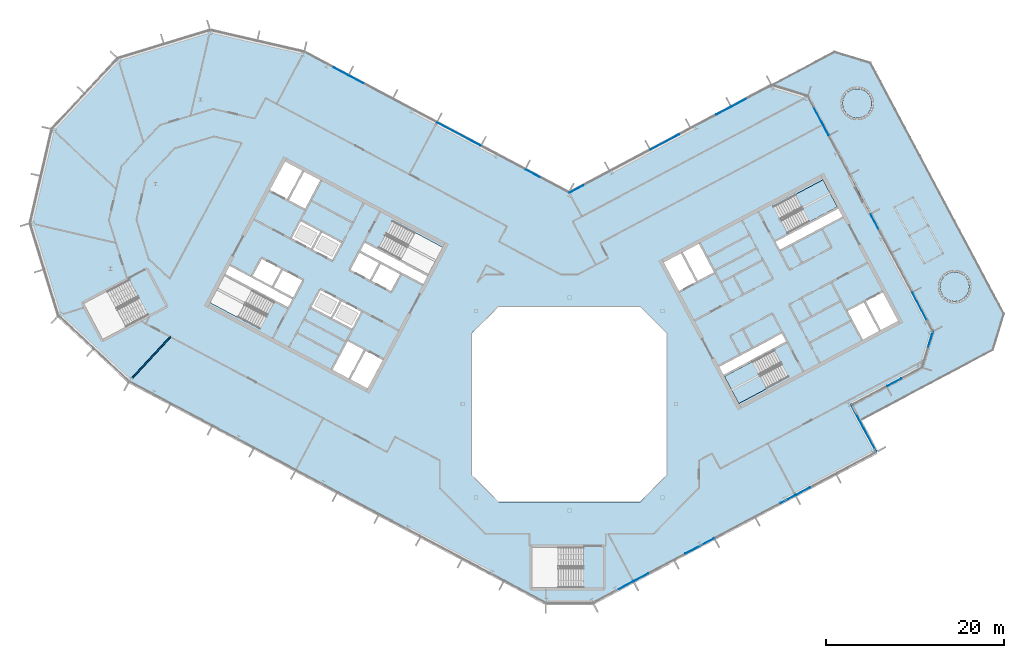
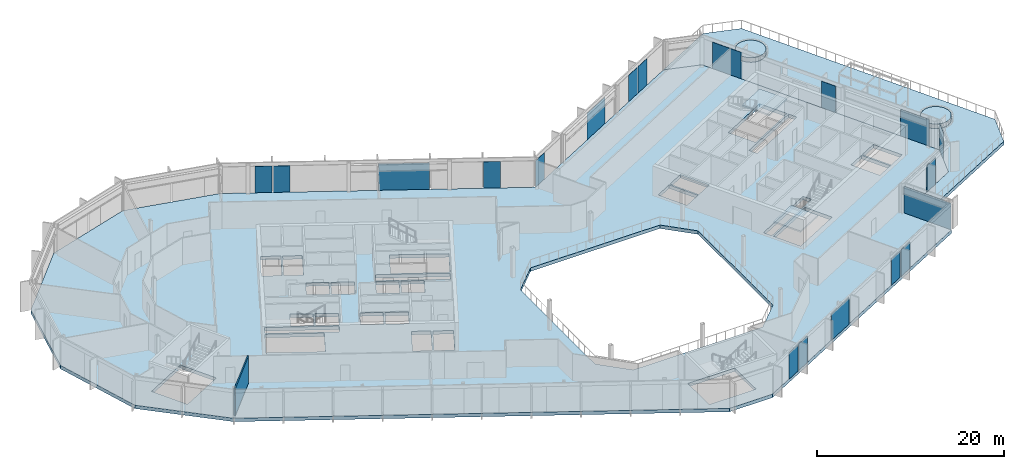
# One storey, part 13 of 30: 19 plates, 6 slabs, 1 wall, 9 elements without a shape of their own.
"""IFC4 building model written with IfcOpenShell, lengths in metres."""

from ifc_helpers import new_model, si_unit, direction, frame, frame_2d, origin, origin_2d, place, context, subcontext, project, spatial, polyline, rectangle, outline, extrude, material, layer, layer_set, type_object, element, aggregate, save


model = new_model("IFC4")

# Units and contexts
model_context = context("Model", 3, precision=1e-05, world=origin(), true_north=direction((0.0, 1.0)))
body_context = subcontext(model_context, "Body", "Model", "MODEL_VIEW")
ifc_project = project(units=[si_unit("LENGTHUNIT", "METRE"), si_unit("AREAUNIT", "SQUARE_METRE"), si_unit("VOLUMEUNIT", "CUBIC_METRE"), si_unit("PLANEANGLEUNIT", "RADIAN"), si_unit("MASSUNIT", "GRAM", prefix="KILO")], contexts=[model_context])

# Site, building, storey
site_placement = place(None, origin())
site = spatial("IfcSite", under=ifc_project, at=site_placement, CompositionType="ELEMENT")
building_placement = place(site_placement, origin())
building = spatial("IfcBuilding", under=site, at=building_placement, Name="Cormorant Relay Tower", CompositionType="ELEMENT")
storey_placement = place(building_placement, frame((0.0, 0.0, 258.0)))
storey = spatial("IfcBuildingStorey", under=building, at=storey_placement, Name="L57", CompositionType="ELEMENT", Elevation=258.0)

# Curtain wall, plates
ifc_material_1 = material(Name="Aluminium 6063-T6 anodised bronze", Category="aluminium")
ifc_layer_1 = layer(ifc_material_1, 0.199951171875)
ifc_layer_set_1 = layer_set([ifc_layer_1], Name="CW1 unitised bronze curtain wall with vertical fins")
curtain_wall_type = type_object("IfcCurtainWallType", Name="CW1 unitised bronze curtain wall with vertical fins", PredefinedType="NOTDEFINED", material=ifc_layer_set_1)
curtain_wall_1_placement = place(storey_placement, origin())
curtain_wall_1 = element("IfcCurtainWall", 1, at=curtain_wall_1_placement, inside=storey, type_object=curtain_wall_type, Name="CW1 curtain wall 2", PredefinedType="NOTDEFINED")
ifc_material_2 = material(Name="Tinted laminated glass", Category="glass")
ifc_layer_2 = layer(ifc_material_2, 0.0400390625)
ifc_layer_set_2 = layer_set([ifc_layer_2], Name="CW1 tinted vision panel 1800 module")
plate_type_1 = type_object("IfcPlateType", Name="CW1 tinted vision panel 1800 module", PredefinedType="CURTAIN_PANEL", material=ifc_layer_set_2)
plate_1_placement = place(storey_placement, frame((6.359130859375, -20.42529296875, 0.0), z_axis=(0.0, 0.0, 1.0), x_axis=(0.882947592859, 0.469471562786, 0.0)))
plate_1 = element("IfcPlate", 2, at=plate_1_placement, type_object=plate_type_1, Name="CW1 panel V01", PredefinedType="CURTAIN_PANEL", context=body_context, shape_type="SweptSolid", body=[
    extrude(rectangle(XDim=1.800048828125, YDim=0.0400390625, at=origin_2d()), origin(), (0.0, 0.0, 1.0), 3.449951171875),
])
plate_2_placement = place(storey_placement, frame((8.080810546875, -19.510009765625, 0.0), z_axis=(0.0, 0.0, 1.0), x_axis=(0.882947592859, 0.469471562786, 0.0)))
plate_2 = element("IfcPlate", 3, at=plate_2_placement, type_object=plate_type_1, Name="CW1 panel V02", PredefinedType="CURTAIN_PANEL", context=body_context, shape_type="SweptSolid", body=[
    extrude(rectangle(XDim=1.800048828125, YDim=0.0400390625, at=origin_2d()), origin(), (0.0, 0.0, 1.0), 3.449951171875),
])
plate_3_placement = place(storey_placement, frame((24.6064453125, -10.72314453125, 0.0), z_axis=(0.0, 0.0, 1.0), x_axis=(0.882947592859, 0.469471562786, 0.0)))
plate_3 = element("IfcPlate", 4, at=plate_3_placement, type_object=plate_type_1, Name="CW1 panel V06", PredefinedType="CURTAIN_PANEL", context=body_context, shape_type="SweptSolid", body=[
    extrude(rectangle(XDim=1.800048828125, YDim=0.0400390625, at=origin_2d()), origin(), (0.0, 0.0, 1.0), 3.449951171875),
])
plate_4_placement = place(storey_placement, frame((26.328125, -9.8076171875, 0.0), z_axis=(0.0, 0.0, 1.0), x_axis=(0.882947592859, 0.469471562786, 0.0)))
plate_4 = element("IfcPlate", 5, at=plate_4_placement, type_object=plate_type_1, Name="CW1 panel V07", PredefinedType="CURTAIN_PANEL", context=body_context, shape_type="SweptSolid", body=[
    extrude(rectangle(XDim=1.800048828125, YDim=0.0400390625, at=origin_2d()), origin(), (0.0, 0.0, 1.0), 3.449951171875),
])

# Curtain wall, plate
curtain_wall_2_placement = place(storey_placement, origin())
curtain_wall_2 = element("IfcCurtainWall", 6, at=curtain_wall_2_placement, inside=storey, type_object=curtain_wall_type, Name="CW1 curtain wall 4", PredefinedType="NOTDEFINED")
plate_5_placement = place(storey_placement, frame((36.608154296875, 2.45361328125, 0.0), z_axis=(0.0, 0.0, 1.0), x_axis=(0.882947592859, 0.469471562786, 0.0)))
plate_5 = element("IfcPlate", 7, at=plate_5_placement, type_object=plate_type_1, Name="CW1 panel V01", PredefinedType="CURTAIN_PANEL", context=body_context, shape_type="SweptSolid", body=[
    extrude(rectangle(XDim=1.800048828125, YDim=0.0400390625, at=origin_2d()), origin(), (0.0, 0.0, 1.0), 3.449951171875),
])
aggregate(curtain_wall_2, [plate_5])

curtain_wall_3_placement = place(storey_placement, origin())
curtain_wall_3 = element("IfcCurtainWall", 8, at=curtain_wall_3_placement, inside=storey, type_object=curtain_wall_type, Name="CW1 curtain wall 5", PredefinedType="NOTDEFINED")
plate_6_placement = place(storey_placement, frame((40.70751953125, 7.31689453125, 0.0), z_axis=(0.0, 0.0, 1.0), x_axis=(0.292371704723, 0.956304755963, 0.0)))
plate_6 = element("IfcPlate", 9, at=plate_6_placement, type_object=plate_type_1, Name="CW1 panel V01", PredefinedType="CURTAIN_PANEL", context=body_context, shape_type="SweptSolid", body=[
    extrude(rectangle(XDim=1.800048828125, YDim=0.0400390625, at=origin_2d()), origin(), (0.0, 0.0, 1.0), 3.449951171875),
])
aggregate(curtain_wall_3, [plate_6])

curtain_wall_4_placement = place(storey_placement, origin())
curtain_wall_4 = element("IfcCurtainWall", 10, at=curtain_wall_4_placement, inside=storey, type_object=curtain_wall_type, Name="CW1 curtain wall 6", PredefinedType="NOTDEFINED")
plate_7_placement = place(storey_placement, frame((34.385009765625, 20.576171875, 0.0), z_axis=(0.0, 0.0, 1.0), x_axis=(-0.469471562786, 0.882947592859, 0.0)))
plate_7 = element("IfcPlate", 11, at=plate_7_placement, type_object=plate_type_1, Name="CW1 panel V03", PredefinedType="CURTAIN_PANEL", context=body_context, shape_type="SweptSolid", body=[
    extrude(rectangle(XDim=1.800048828125, YDim=0.0400390625, at=origin_2d()), origin(), (0.0, 0.0, 1.0), 3.449951171875),
])

# Curtain wall, plates
curtain_wall_5_placement = place(storey_placement, origin())
curtain_wall_5 = element("IfcCurtainWall", 12, at=curtain_wall_5_placement, inside=storey, type_object=curtain_wall_type, Name="CW1 curtain wall 8", PredefinedType="NOTDEFINED")
plate_8_placement = place(storey_placement, frame((19.099609375, 33.962158203125, 0.0), z_axis=(0.0, 0.0, 1.0), x_axis=(-0.882947592859, -0.469471562786, 0.0)))
plate_8 = element("IfcPlate", 13, at=plate_8_placement, type_object=plate_type_1, Name="CW1 panel V01", PredefinedType="CURTAIN_PANEL", context=body_context, shape_type="SweptSolid", body=[
    extrude(rectangle(XDim=1.800048828125, YDim=0.0400390625, at=origin_2d()), origin(), (0.0, 0.0, 1.0), 3.449951171875),
])
plate_9_placement = place(storey_placement, frame((17.3779296875, 33.046630859375, 0.0), z_axis=(0.0, 0.0, 1.0), x_axis=(-0.882947592859, -0.469471562786, 0.0)))
plate_9 = element("IfcPlate", 14, at=plate_9_placement, type_object=plate_type_1, Name="CW1 panel V02", PredefinedType="CURTAIN_PANEL", context=body_context, shape_type="SweptSolid", body=[
    extrude(rectangle(XDim=1.800048828125, YDim=0.0400390625, at=origin_2d()), origin(), (0.0, 0.0, 1.0), 3.449951171875),
])
plate_10_placement = place(storey_placement, frame((0.785400390625, 24.22412109375, 0.0), z_axis=(0.0, 0.0, 1.0), x_axis=(-0.882947592859, -0.469471562786, 0.0)))
plate_10 = element("IfcPlate", 15, at=plate_10_placement, type_object=plate_type_1, Name="CW1 panel V06", PredefinedType="CURTAIN_PANEL", context=body_context, shape_type="SweptSolid", body=[
    extrude(rectangle(XDim=1.800048828125, YDim=0.0400390625, at=origin_2d()), origin(), (0.0, 0.0, 1.0), 3.449951171875),
])

curtain_wall_6_placement = place(storey_placement, origin())
curtain_wall_6 = element("IfcCurtainWall", 16, at=curtain_wall_6_placement, inside=storey, type_object=curtain_wall_type, Name="CW1 curtain wall 9", PredefinedType="NOTDEFINED")
plate_11_placement = place(storey_placement, frame((-4.108642578125, 25.9912109375, 0.0), z_axis=(0.0, 0.0, 1.0), x_axis=(-0.882947592859, 0.469471562786, 0.0)))
plate_11 = element("IfcPlate", 17, at=plate_11_placement, type_object=plate_type_1, Name="CW1 panel V01", PredefinedType="CURTAIN_PANEL", context=body_context, shape_type="SweptSolid", body=[
    extrude(rectangle(XDim=1.800048828125, YDim=0.0400390625, at=origin_2d()), origin(), (0.0, 0.0, 1.0), 3.449951171875),
])
plate_12_placement = place(storey_placement, frame((-24.0244140625, 36.580810546875, 0.0), z_axis=(0.0, 0.0, 1.0), x_axis=(-0.882947592859, 0.469471562786, 0.0)))
plate_12 = element("IfcPlate", 18, at=plate_12_placement, type_object=plate_type_1, Name="CW1 panel V05", PredefinedType="CURTAIN_PANEL", context=body_context, shape_type="SweptSolid", body=[
    extrude(rectangle(XDim=1.800048828125, YDim=0.0400390625, at=origin_2d()), origin(), (0.0, 0.0, 1.0), 3.449951171875),
])
plate_13_placement = place(storey_placement, frame((-25.746337890625, 37.49609375, 0.0), z_axis=(0.0, 0.0, 1.0), x_axis=(-0.882947592859, 0.469471562786, 0.0)))
plate_13 = element("IfcPlate", 19, at=plate_13_placement, type_object=plate_type_1, Name="CW1 panel V06", PredefinedType="CURTAIN_PANEL", context=body_context, shape_type="SweptSolid", body=[
    extrude(rectangle(XDim=1.800048828125, YDim=0.0400390625, at=origin_2d()), origin(), (0.0, 0.0, 1.0), 3.449951171875),
])

# Plate
ifc_material_3 = material(Name="Tinted laminated glass", Category="glass")
ifc_layer_3 = layer(ifc_material_3, 0.0400390625)
ifc_layer_set_3 = layer_set([ifc_layer_3], Name="CW1 tinted vision panel 3600 module")
plate_type_2 = type_object("IfcPlateType", Name="CW1 tinted vision panel 3600 module", PredefinedType="CURTAIN_PANEL", material=ifc_layer_set_3)
plate_14_placement = place(storey_placement, frame((14.68798828125, -15.996826171875, 0.0), z_axis=(0.0, 0.0, 1.0), x_axis=(0.882947592859, 0.469471562786, 0.0)))
plate_14 = element("IfcPlate", 20, at=plate_14_placement, type_object=plate_type_2, Name="CW1 panel V04", PredefinedType="CURTAIN_PANEL", context=body_context, shape_type="SweptSolid", body=[
    extrude(rectangle(XDim=3.60009765625, YDim=0.0400390625, at=origin_2d()), origin(), (0.0, 0.0, 1.0), 3.449951171875),
])

aggregate(curtain_wall_1, [plate_1, plate_2, plate_14, plate_3, plate_4])

plate_15_placement = place(storey_placement, frame((39.502197265625, 10.9521484375, 0.0), z_axis=(0.0, 0.0, 1.0), x_axis=(-0.469471562786, 0.882947592859, 0.0)))
plate_15 = element("IfcPlate", 21, at=plate_15_placement, type_object=plate_type_2, Name="CW1 panel V01", PredefinedType="CURTAIN_PANEL", context=body_context, shape_type="SweptSolid", body=[
    extrude(rectangle(XDim=3.60009765625, YDim=0.0400390625, at=origin_2d()), origin(), (0.0, 0.0, 1.0), 3.449951171875),
])

plate_16_placement = place(storey_placement, frame((28.352294921875, 31.922119140625, 0.0), z_axis=(0.0, 0.0, 1.0), x_axis=(-0.469471562786, 0.882947592859, 0.0)))
plate_16 = element("IfcPlate", 22, at=plate_16_placement, type_object=plate_type_2, Name="CW1 panel V06", PredefinedType="CURTAIN_PANEL", context=body_context, shape_type="SweptSolid", body=[
    extrude(rectangle(XDim=3.60009765625, YDim=0.0400390625, at=origin_2d()), origin(), (0.0, 0.0, 1.0), 3.449951171875),
])

aggregate(curtain_wall_4, [plate_15, plate_7, plate_16])

plate_17_placement = place(storey_placement, frame((10.770263671875, 29.533203125, 0.0), z_axis=(0.0, 0.0, 1.0), x_axis=(-0.882947592859, -0.469471562786, 0.0)))
plate_17 = element("IfcPlate", 23, at=plate_17_placement, type_object=plate_type_2, Name="CW1 panel V04", PredefinedType="CURTAIN_PANEL", context=body_context, shape_type="SweptSolid", body=[
    extrude(rectangle(XDim=3.60009765625, YDim=0.0400390625, at=origin_2d()), origin(), (0.0, 0.0, 1.0), 3.449951171875),
])

aggregate(curtain_wall_5, [plate_8, plate_9, plate_17, plate_10])

# Curtain wall, plate
curtain_wall_7_placement = place(storey_placement, origin())
curtain_wall_7 = element("IfcCurtainWall", 24, at=curtain_wall_7_placement, inside=storey, type_object=curtain_wall_type, Name="CW1 curtain wall 3", PredefinedType="NOTDEFINED")
ifc_material_4 = material(Name="Tinted laminated glass", Category="glass")
ifc_layer_4 = layer(ifc_material_4, 0.0400390625)
ifc_layer_set_4 = layer_set([ifc_layer_4], Name="CW1 tinted vision panel 5400 module")
plate_type_3 = type_object("IfcPlateType", Name="CW1 tinted vision panel 5400 module", PredefinedType="CURTAIN_PANEL", material=ifc_layer_set_4)
plate_18_placement = place(storey_placement, frame((33.173095703125, -2.705322265625, 0.0), z_axis=(0.0, 0.0, 1.0), x_axis=(-0.469471562786, 0.882947592859, 0.0)))
plate_18 = element("IfcPlate", 25, at=plate_18_placement, type_object=plate_type_3, Name="CW1 panel V00", PredefinedType="CURTAIN_PANEL", context=body_context, shape_type="SweptSolid", body=[
    extrude(rectangle(XDim=5.925048828125, YDim=0.0400390625, at=origin_2d()), origin(), (0.0, 0.0, 1.0), 3.449951171875),
])
aggregate(curtain_wall_7, [plate_18])

# Plate
plate_19_placement = place(storey_placement, frame((-12.43798828125, 30.419921875, 0.0), z_axis=(0.0, 0.0, 1.0), x_axis=(-0.882947592859, 0.469471562786, 0.0)))
plate_19 = element("IfcPlate", 26, at=plate_19_placement, type_object=plate_type_3, Name="CW1 panel V03", PredefinedType="CURTAIN_PANEL", context=body_context, shape_type="SweptSolid", body=[
    extrude(rectangle(XDim=5.489013671875, YDim=0.0400390625, at=origin_2d()), origin(), (0.0, 0.0, 1.0), 3.449951171875),
])

aggregate(curtain_wall_6, [plate_11, plate_19, plate_12, plate_13])

# Stair, slab
ifc_material_5 = material(Name="Concrete 40 MPa", Category="concrete")
stair_type = type_object("IfcStairType", Name="Exit stair 1500", PredefinedType="HALF_TURN_STAIR", material=ifc_material_5)
stair_1_placement = place(storey_placement, origin())
stair_1 = element("IfcStair", 27, at=stair_1_placement, inside=storey, type_object=stair_type, Name="L57 Stair", PredefinedType="HALF_TURN_STAIR")
ifc_material_6 = material(Name="Concrete 40 MPa", Category="concrete")
ifc_layer_5 = layer(ifc_material_6, 0.199951171875)
ifc_layer_set_5 = layer_set([ifc_layer_5], Name="Exit stair landing 200")
slab_type_1 = type_object("IfcSlabType", Name="Exit stair landing 200", PredefinedType="LANDING", material=ifc_layer_set_5)
slab_1_placement = place(storey_placement, frame((0.0, 0.0, 1.75)))
slab_1 = element("IfcSlab", 28, at=slab_1_placement, type_object=slab_type_1, Name="B1 landing 1", PredefinedType="LANDING", context=body_context, shape_type="SweptSolid", body=[
    extrude(outline(polyline([(20.614990234375, 4.78857421875), (17.48046875, 3.1220703125), (19.10009765625, 0.075927734375), (22.234619140625, 1.742431640625), (20.614990234375, 4.78857421875)])), origin(), (0.0, 0.0, 1.0), 0.199951171875),
])
aggregate(stair_1, [slab_1])

stair_2_placement = place(storey_placement, origin())
stair_2 = element("IfcStair", 29, at=stair_2_placement, inside=storey, type_object=stair_type, Name="L57 Stair", PredefinedType="HALF_TURN_STAIR")
slab_2_placement = place(storey_placement, frame((0.0, 0.0, 1.75)))
slab_2 = element("IfcSlab", 30, at=slab_2_placement, type_object=slab_type_1, Name="B2 landing 1", PredefinedType="LANDING", context=body_context, shape_type="SweptSolid", body=[
    extrude(outline(polyline([(27.064208984375, 20.562744140625), (30.19873046875, 22.2294921875), (28.5791015625, 25.275634765625), (25.444580078125, 23.60888671875), (27.064208984375, 20.562744140625)])), origin(), (0.0, 0.0, 1.0), 0.199951171875),
])
aggregate(stair_2, [slab_2])

# Slabs
ifc_material_7 = material(Name="Concrete 40 MPa", Category="concrete")
ifc_layer_6 = layer(ifc_material_7, 0.449951171875)
ifc_layer_set_6 = layer_set([ifc_layer_6], Name="Flat plate 450")
slab_type_2 = type_object("IfcSlabType", Name="Flat plate 450", PredefinedType="FLOOR", material=ifc_layer_set_6)
slab_3_placement = place(storey_placement, frame((0.0, 0.0, -0.449951171875)))
element("IfcSlab", 31, at=slab_3_placement, inside=storey, type_object=slab_type_2, Name="Floor slab L57", PredefinedType="FLOOR", context=body_context, shape_type="SweptSolid", body=[
    extrude(outline(polyline([(-60.7197265625, 20.393310546875), (-58.2744140625, 30.985107421875), (-50.86083984375, 38.935302734375), (-40.465576171875, 42.11328125), (-29.873779296875, 39.668212890625), (0.0, 23.783935546875), (22.810302734375, 35.912353515625), (26.867431640625, 34.671875), (40.95166015625, 8.18359375), (39.711181640625, 4.126220703125), (31.7646484375, -0.09912109375), (34.581298828125, -5.396728515625), (2.648681640625, -22.37548828125), (-2.648681640625, -22.37548828125), (-49.591552734375, 2.584228515625), (-57.541748046875, 9.997802734375), (-60.7197265625, 20.393310546875)]), holes=[polyline([(11.0, -8.0), (11.0, 8.0), (8.0, 11.0), (-8.0, 11.0), (-11.0, 8.0), (-11.0, -8.0), (-8.0, -11.0), (8.0, -11.0), (11.0, -8.0)]), polyline([(-24.985595703125, 7.112548828125), (-26.69921875, 3.889892578125), (-24.844970703125, 2.90380859375), (-23.13134765625, 6.126708984375), (-23.04296875, 6.07958984375), (-24.985595703125, 7.112548828125)]), polyline([(-22.95458984375, 6.03271484375), (-24.668212890625, 2.81005859375), (-22.725830078125, 1.777099609375), (-21.01220703125, 5.0), (-23.04296875, 6.07958984375), (-22.95458984375, 6.03271484375)]), polyline([(-25.656005859375, 11.602783203125), (-26.688720703125, 9.660400390625), (-24.481201171875, 8.48681640625), (-23.448486328125, 10.42919921875), (-25.656005859375, 11.602783203125)]), polyline([(-49.57861328125, 14.0537109375), (-54.69970703125, 11.330810546875), (-52.563720703125, 7.3134765625), (-47.442626953125, 10.036376953125), (-49.57861328125, 14.0537109375)]), polyline([(-29.07275390625, 10.927978515625), (-26.865234375, 9.75439453125), (-25.83251953125, 11.69677734375), (-28.039794921875, 12.870361328125), (-29.07275390625, 10.927978515625)]), polyline([(-33.240966796875, 11.502197265625), (-38.847900390625, 14.483154296875), (-40.46728515625, 11.43701171875), (-34.860595703125, 8.455810546875), (-33.240966796875, 11.502197265625)]), polyline([(-38.260986328125, 15.5869140625), (-38.75390625, 14.659912109375), (-31.690185546875, 10.904052734375), (-31.197265625, 11.8310546875), (-38.260986328125, 15.5869140625)]), polyline([(-31.103515625, 12.0078125), (-30.070556640625, 13.9501953125), (-32.278076171875, 15.123779296875), (-33.310791015625, 13.181396484375), (-31.103515625, 12.0078125)]), polyline([(-34.661865234375, 16.3916015625), (-35.69482421875, 14.448974609375), (-33.4873046875, 13.275390625), (-32.45458984375, 15.2177734375), (-34.661865234375, 16.3916015625)]), polyline([(-24.672119140625, 15.156982421875), (-22.46484375, 13.9833984375), (-21.431884765625, 15.92578125), (-23.639404296875, 17.099609375), (-24.672119140625, 15.156982421875)]), polyline([(-25.670166015625, 18.17919921875), (-27.87744140625, 19.35302734375), (-28.910400390625, 17.410400390625), (-26.702880859375, 16.23681640625), (-25.670166015625, 18.17919921875)]), polyline([(-30.261474609375, 20.62060546875), (-31.294189453125, 18.677978515625), (-29.0869140625, 17.50439453125), (-28.053955078125, 19.447021484375), (-30.261474609375, 20.62060546875)]), polyline([(-31.611572265625, 22.980712890625), (-29.75732421875, 21.99462890625), (-28.043701171875, 25.217529296875), (-29.89794921875, 26.203369140625), (-31.611572265625, 22.980712890625)]), polyline([(-32.01708984375, 27.330078125), (-33.73046875, 24.107421875), (-31.7880859375, 23.074462890625), (-30.074462890625, 26.29736328125), (-32.01708984375, 27.330078125)]), polyline([(-4.199951171875, -16.125), (-4.199951171875, -20.675048828125), (1.60009765625, -20.675048828125), (1.60009765625, -16.125), (-4.199951171875, -16.125)]), polyline([(23.087158203125, 6.10302734375), (17.48046875, 3.1220703125), (19.10009765625, 0.07568359375), (24.706787109375, 3.056884765625), (23.087158203125, 6.10302734375)]), polyline([(17.386474609375, 3.298583984375), (24.4501953125, 7.054443359375), (23.957275390625, 7.9814453125), (16.8935546875, 4.2255859375), (17.386474609375, 3.298583984375)]), polyline([(33.197021484375, 11.478515625), (31.3427734375, 10.49267578125), (33.056396484375, 7.27001953125), (34.910400390625, 8.255859375), (33.197021484375, 11.478515625)]), polyline([(33.37353515625, 11.572509765625), (35.087158203125, 8.349609375), (37.029541015625, 9.382568359375), (35.31591796875, 12.605224609375), (33.37353515625, 11.572509765625)]), polyline([(-20.080810546875, 12.7158203125), (-19.048095703125, 14.658203125), (-21.25537109375, 15.831787109375), (-22.2880859375, 13.889404296875), (-20.080810546875, 12.7158203125)]), polyline([(14.3056640625, 13.779052734375), (12.592041015625, 17.001708984375), (10.649658203125, 15.968994140625), (12.36328125, 12.74609375), (14.39404296875, 13.825927734375), (14.3056640625, 13.779052734375)]), polyline([(16.33642578125, 14.85888671875), (14.622802734375, 18.08154296875), (12.768798828125, 17.095703125), (14.482421875, 13.872802734375), (14.39404296875, 13.825927734375), (16.33642578125, 14.85888671875)]), polyline([(-16.481689453125, 13.520263671875), (-15.989013671875, 14.447509765625), (-23.052490234375, 18.203125), (-23.54541015625, 17.276123046875), (-16.481689453125, 13.520263671875)]), polyline([(-21.501708984375, 17.605224609375), (-15.89501953125, 14.6240234375), (-14.275390625, 17.670166015625), (-19.882080078125, 20.6513671875), (-21.501708984375, 17.605224609375)]), polyline([(30.78564453125, 21.125732421875), (30.29248046875, 22.052978515625), (23.22900390625, 18.297119140625), (23.721923828125, 17.3701171875), (30.78564453125, 21.125732421875)]), polyline([(24.592041015625, 19.248291015625), (30.19873046875, 22.2294921875), (28.5791015625, 25.275634765625), (22.972412109375, 22.29443359375), (24.592041015625, 19.248291015625)])]), origin(), (0.0, 0.0, 1.0), 0.449951171875),
])
ifc_material_8 = material(Name="Planting soil")
ifc_layer_7 = layer(ifc_material_8, 0.60009765625)
ifc_layer_set_7 = layer_set([ifc_layer_7], Name="PLANTER bed")
slab_type_3 = type_object("IfcSlabType", Name="PLANTER bed", PredefinedType="FLOOR", material=ifc_layer_set_7)
slab_4_placement = place(storey_placement, origin())
element("IfcSlab", 32, at=slab_4_placement, inside=storey, type_object=slab_type_3, Name="Terrace PLANTER 57-01", PredefinedType="FLOOR", context=body_context, shape_type="SweptSolid", body=[
    extrude(outline(polyline([(43.57763671875, 11.592041015625), (43.89501953125, 11.654541015625), (44.19384765625, 11.777587890625), (44.462890625, 11.95654296875), (44.69189453125, 12.1845703125), (44.8720703125, 12.452880859375), (44.99658203125, 12.751220703125), (45.060302734375, 13.068115234375), (45.060791015625, 13.391357421875), (44.99853515625, 13.70849609375), (44.87548828125, 14.00732421875), (44.696533203125, 14.276611328125), (44.468505859375, 14.505615234375), (44.2001953125, 14.685791015625), (43.90185546875, 14.81005859375), (43.5849609375, 14.873779296875), (43.26171875, 14.87451171875), (42.944580078125, 14.81201171875), (42.645751953125, 14.689208984375), (42.37646484375, 14.510009765625), (42.1474609375, 14.281982421875), (41.96728515625, 14.013671875), (41.843017578125, 13.71533203125), (41.779296875, 13.3984375), (41.778564453125, 13.0751953125), (41.8408203125, 12.758056640625), (41.9638671875, 12.459228515625), (42.142822265625, 12.190185546875), (42.37109375, 11.961181640625), (42.639404296875, 11.781005859375), (42.937744140625, 11.656494140625), (43.25439453125, 11.5927734375), (43.57763671875, 11.592041015625)])), origin(), (0.0, 0.0, 1.0), 0.60009765625),
])
slab_5_placement = place(storey_placement, origin())
element("IfcSlab", 33, at=slab_5_placement, inside=storey, type_object=slab_type_3, Name="Terrace PLANTER 57-02", PredefinedType="FLOOR", context=body_context, shape_type="SweptSolid", body=[
    extrude(outline(polyline([(32.592041015625, 32.253173828125), (32.9091796875, 32.3154296875), (33.2080078125, 32.4384765625), (33.477294921875, 32.617431640625), (33.706298828125, 32.845458984375), (33.886474609375, 33.114013671875), (34.0107421875, 33.412109375), (34.07470703125, 33.72900390625), (34.0751953125, 34.05224609375), (34.012939453125, 34.369384765625), (33.889892578125, 34.668212890625), (33.7109375, 34.9375), (33.48291015625, 35.16650390625), (33.214599609375, 35.3466796875), (32.916015625, 35.470947265625), (32.599365234375, 35.534912109375), (32.276123046875, 35.535400390625), (31.958984375, 35.47314453125), (31.659912109375, 35.35009765625), (31.390869140625, 35.171142578125), (31.161865234375, 34.943115234375), (30.981689453125, 34.6748046875), (30.857421875, 34.376220703125), (30.793701171875, 34.0595703125), (30.79296875, 33.736328125), (30.855224609375, 33.419189453125), (30.978271484375, 33.1201171875), (31.1572265625, 32.85107421875), (31.38525390625, 32.6220703125), (31.65380859375, 32.44189453125), (31.951904296875, 32.3173828125), (32.268798828125, 32.25390625), (32.592041015625, 32.253173828125)])), origin(), (0.0, 0.0, 1.0), 0.60009765625),
])
ifc_material_9 = material(Name="Concrete 40 MPa", Category="concrete")
ifc_layer_8 = layer(ifc_material_9, 0.449951171875)
ifc_layer_set_8 = layer_set([ifc_layer_8], Name="Terrace slab 450")
slab_type_4 = type_object("IfcSlabType", Name="Terrace slab 450", PredefinedType="FLOOR", material=ifc_layer_set_8)
slab_6_placement = place(storey_placement, frame((0.0, 0.0, -0.449951171875)))
element("IfcSlab", 34, at=slab_6_placement, inside=storey, type_object=slab_type_4, Name="Terrace slab L57", PredefinedType="FLOOR", context=body_context, shape_type="SweptSolid", body=[
    extrude(outline(polyline([(29.873779296875, 39.668212890625), (33.930908203125, 38.427734375), (48.9541015625, 10.17333984375), (47.713623046875, 6.1162109375), (32.70361328125, -1.864990234375), (31.7646484375, -0.09912109375), (39.711181640625, 4.126220703125), (40.95166015625, 8.18359375), (26.867431640625, 34.671875), (22.810302734375, 35.912353515625), (29.873779296875, 39.668212890625)])), origin(), (0.0, 0.0, 1.0), 0.449951171875),
])

# Wall
ifc_material_10 = material(Name="Gypsum board partition")
ifc_layer_9 = layer(ifc_material_10, 0.14990234375)
ifc_layer_set_9 = layer_set([ifc_layer_9], Name="Tenant partition 150")
wall_type = type_object("IfcWallType", Name="Tenant partition 150", PredefinedType="PARTITIONING", material=ifc_layer_set_9)
wall_placement = place(storey_placement, frame((-44.931884765625, 7.58203125, 0.0), z_axis=(0.0, 0.0, 1.0), x_axis=(-0.681917154851, -0.731429418277, 0.0)))
element("IfcWall", 35, at=wall_placement, inside=storey, type_object=wall_type, Name="wall/L57/part/010", PredefinedType="PARTITIONING", context=body_context, shape_type="SweptSolid", body=[
    extrude(rectangle(XDim=6.35595703125, YDim=0.14990234375, at=frame_2d((3.177978515625, 0.0))), origin(), (0.0, 0.0, 1.0), 3.5400390625),
])

save(model, "model.ifc")
